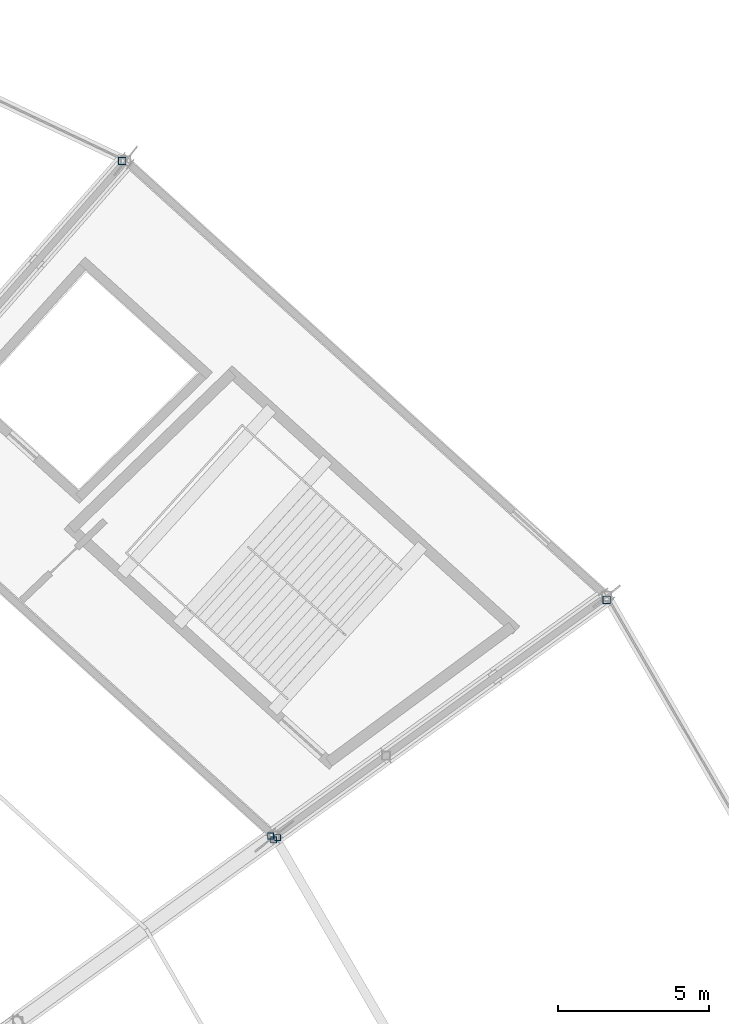
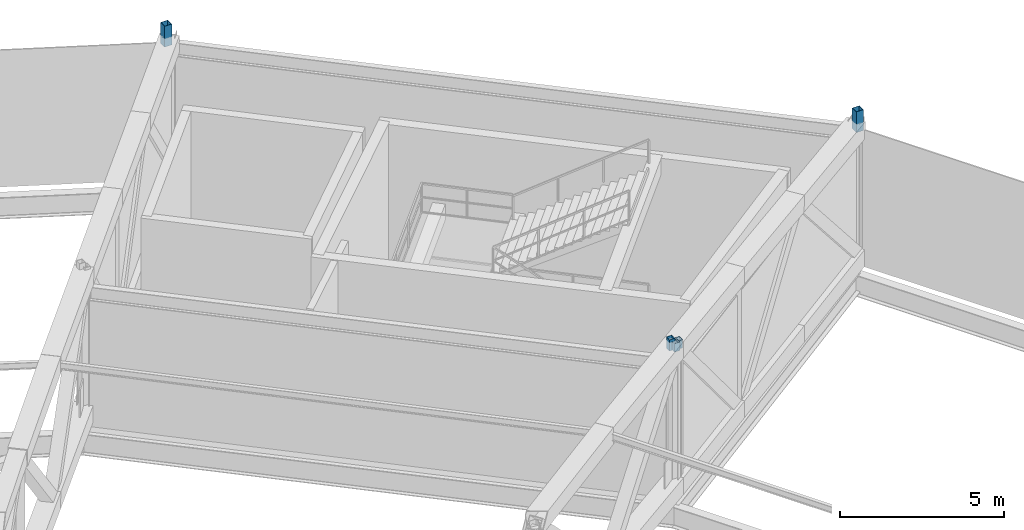
# One storey, part 136 of 162: 5 members.
"""IFC4 building model written with IfcOpenShell, lengths in metres."""

from ifc_helpers import new_model, si_unit, direction, frame, origin, origin_2d, place, context, subcontext, project, spatial, hollow_rectangle, extrude, material, material_profile, profile_set, type_object, element, save


model = new_model("IFC4")

# Units and contexts
model_context = context("Model", 3, precision=1e-05, world=origin(), true_north=direction((0.0, 1.0)))
body_context = subcontext(model_context, "Body", "Model", "MODEL_VIEW")
ifc_project = project(units=[si_unit("LENGTHUNIT", "METRE"), si_unit("AREAUNIT", "SQUARE_METRE"), si_unit("VOLUMEUNIT", "CUBIC_METRE"), si_unit("PLANEANGLEUNIT", "RADIAN"), si_unit("MASSUNIT", "GRAM", prefix="KILO")], contexts=[model_context])

# Site, building, storey
site_placement = place(None, origin())
site = spatial("IfcSite", under=ifc_project, at=site_placement, CompositionType="ELEMENT")
building_placement = place(site_placement, origin())
building = spatial("IfcBuilding", under=site, at=building_placement, Name="Kazemori Nagisa Stadium", CompositionType="ELEMENT")
storey_placement = place(building_placement, frame((0.0, 0.0, 36.719970703125)))
storey = spatial("IfcBuildingStorey", under=building, at=storey_placement, Name="RF", CompositionType="ELEMENT", Elevation=36.719970703125)

# Members
ifc_material = material(Name="Steel STKR490", Category="steel")
ifc_material_profile_1 = material_profile(ifc_material, hollow_rectangle(XDim=0.25, YDim=0.25, WallThickness=0.011962890625, at=origin_2d()), Name="SHS-250x250x12")
ifc_profile_set_1 = profile_set([ifc_material_profile_1], Name="Steel STKR490")
member_type_1 = type_object("IfcMemberType", Name="Member_ST-SHS250", PredefinedType="STUD", material=ifc_profile_set_1)
for number, where, z_axis, x_axis, name in (
    (1, (201.489013671875, 158.5478515625, 5.10009765625), (0.0, 0.0, 1.0), (1.0, 0.0, 0.0), "Canopy bearing stool B03-outer-2"),
    (2, (185.47802734375, 173.0537109375, 5.10009765625), (0.0, 0.0, 1.0), (1.0, 0.0, 0.0), "Canopy bearing stool B05-outer-1"),
):
    element("IfcMember", number, at=place(storey_placement, frame(where, z_axis=z_axis, x_axis=x_axis)), inside=storey, type_object=member_type_1, Name=name, PredefinedType="STUD", context=body_context, shape_type="SweptSolid", body=[
        extrude(hollow_rectangle(XDim=0.25, YDim=0.25, WallThickness=0.011962890625, at=origin_2d()), origin(), (0.0, 0.0, 1.0), 0.77490234375),
    ])
ifc_material_profile_2 = material_profile(ifc_material, hollow_rectangle(XDim=0.199951171875, YDim=0.199951171875, WallThickness=0.009033203125, at=origin_2d()), Name="SHS-200x200x9")
ifc_profile_set_2 = profile_set([ifc_material_profile_2], Name="Steel STKR490")
member_type_2 = type_object("IfcMemberType", Name="Member_TS-SHS200", PredefinedType="STRUT", material=ifc_profile_set_2)
for number, where, z_axis, x_axis, name in (
    (3, (190.616455078125, 150.6875, 5.56005859375), (0.0, 0.0, 1.0), (1.0, 0.0, 0.0), "Canopy bearing stool B03-outer-3"),
    (4, (190.482421875, 150.616455078125, 5.56005859375), (0.0, 0.0, 1.0), (1.0, 0.0, 0.0), "Canopy bearing stool B03-mid-2"),
):
    element("IfcMember", number, at=place(storey_placement, frame(where, z_axis=z_axis, x_axis=x_axis)), inside=storey, type_object=member_type_2, Name=name, PredefinedType="STRUT", context=body_context, shape_type="SweptSolid", body=[
        extrude(hollow_rectangle(XDim=0.199951171875, YDim=0.199951171875, WallThickness=0.009033203125, at=origin_2d()), origin(), (0.0, 0.0, 1.0), 0.31494140625),
    ])
member_placement = place(storey_placement, frame((190.386474609375, 150.743896484375, 5.56005859375), z_axis=(0.0, 0.0, 1.0), x_axis=(1.0, 0.0, 0.0)))
element("IfcMember", 5, at=member_placement, inside=storey, type_object=member_type_2, Name="Canopy bearing stool B04-mid-1", PredefinedType="STRUT", context=body_context, shape_type="SweptSolid", body=[
    extrude(hollow_rectangle(XDim=0.199951171875, YDim=0.199951171875, WallThickness=0.009033203125, at=origin_2d()), origin(), (0.0, 0.0, 1.0), 0.407958984375),
])

save(model, "model.ifc")
